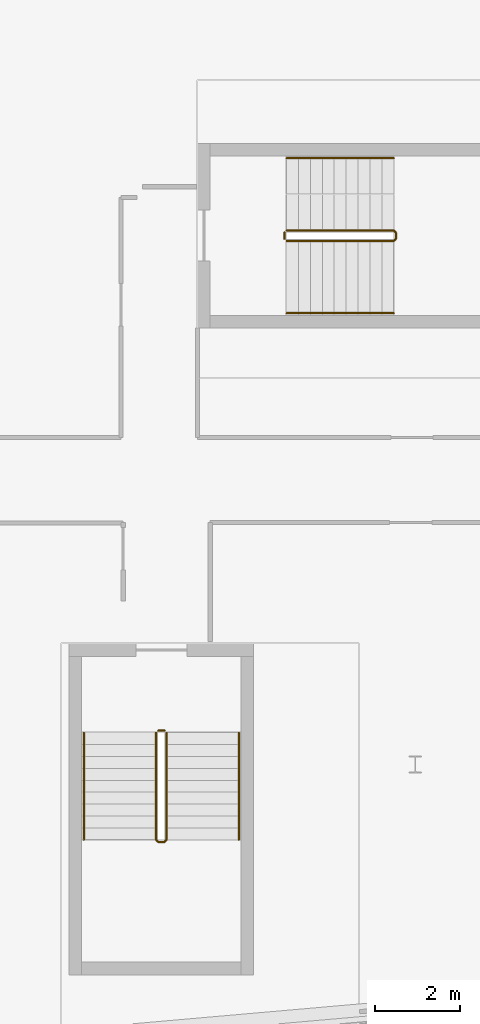
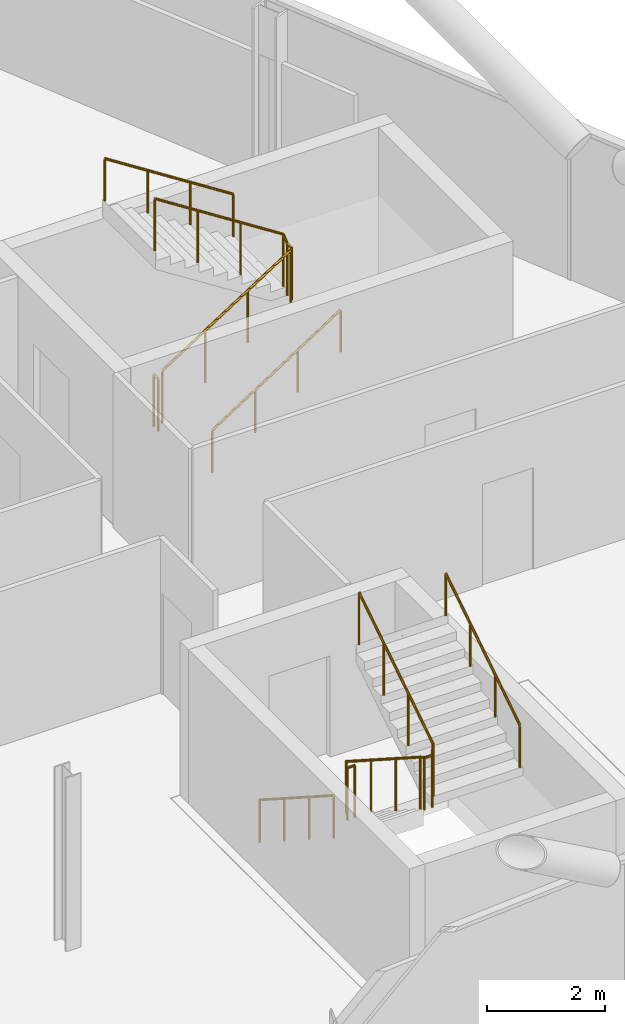
# One storey, part 25 of 26: 8 railings.
"""IFC4 building model written with IfcOpenShell, lengths in metres."""

import ifcopenshell
import ifcopenshell.guid

model = None  # the IFC model being written
_history = None  # IfcOwnerHistory: only IFC2X3 demands one
_inside = {}  # id of a spatial element -> (the spatial element, [elements in it])
_under = {}  # id of a project, library or spatial element -> (it, [spatial elements below it])
_declared = {}  # id of a project -> (the project, [libraries it declares])
_typed = {}  # id of a type object -> (the type object, [elements of that type])
_made_of = {}  # id of a material, layer set ... -> (it, [elements and type objects made of it])


def new_model(schema):
    """Start an empty IFC model of exactly this schema.

    Asked for "IFC4X3", IfcOpenShell would pick the latest addendum, in which some entities
    have other attributes; the version numbers below select the first issue.
    IFC2X3 requires an IfcOwnerHistory on every rooted entity: one is made here for all.
    """
    global model, _history
    if schema == "IFC4X3":
        model = ifcopenshell.file(schema_version=(4, 3, 0, 0))
    else:
        model = ifcopenshell.file(schema=schema)
    _inside.clear()
    _under.clear()
    _declared.clear()
    _typed.clear()
    _made_of.clear()
    _history = None
    if model.schema == "IFC2X3":
        org = make("IfcOrganization", Name="unknown")
        user = make(
            "IfcPersonAndOrganization",
            ThePerson=make("IfcPerson", FamilyName="unknown"),
            TheOrganization=org,
        )
        app = make(
            "IfcApplication",
            ApplicationDeveloper=org,
            Version="unknown",
            ApplicationFullName="unknown",
            ApplicationIdentifier="unknown",
        )
        _history = make(
            "IfcOwnerHistory",
            OwningUser=user,
            OwningApplication=app,
            ChangeAction="ADDED",
            CreationDate=0,
        )
    return model


def make(cls, **values):
    """One entity of the class cls with the attributes given. An attribute that is None is left unset."""
    return model.create_entity(
        cls, **{name: value for name, value in values.items() if value is not None}
    )


def rooted(cls, **values):
    """An entity with a GlobalId (a new one), such as an element, a storey or a relation."""
    return make(cls, GlobalId=ifcopenshell.guid.new(), OwnerHistory=_history, **values)


def si_unit(unit_type, name, prefix=None):
    """IfcSIUnit, for example si_unit("LENGTHUNIT", "METRE", prefix="MILLI")."""
    return make("IfcSIUnit", UnitType=unit_type, Prefix=prefix, Name=name)


def assignment(units):
    """IfcUnitAssignment: the units of a project."""
    return None if units is None else make("IfcUnitAssignment", Units=units)


def point(xyz):
    """IfcCartesianPoint."""
    return None if xyz is None else make("IfcCartesianPoint", Coordinates=xyz)


def direction(xyz):
    """IfcDirection."""
    return None if xyz is None else make("IfcDirection", DirectionRatios=xyz)


def frame(location, z_axis=None, x_axis=None):
    """IfcAxis2Placement3D, a coordinate frame: its origin and axes. An axis left out is left unset."""
    return make(
        "IfcAxis2Placement3D",
        Location=point(location),
        Axis=direction(z_axis),
        RefDirection=direction(x_axis),
    )


def frame_2d(location, x_axis=None):
    """IfcAxis2Placement2D, a coordinate frame in the plane: its origin and x axis."""
    return make(
        "IfcAxis2Placement2D", Location=point(location), RefDirection=direction(x_axis)
    )


def origin():
    """The frame at (0, 0, 0) with its axes left unset."""
    return frame((0.0, 0.0, 0.0))


def origin_2d():
    """The frame at (0, 0) in the plane with its x axis left unset."""
    return frame_2d((0.0, 0.0))


def place(relative_to, where):
    """IfcLocalPlacement: puts the frame where relative to a parent placement (None: the world)."""
    return make(
        "IfcLocalPlacement", PlacementRelTo=relative_to, RelativePlacement=where
    )


def context(
    kind, dimensions, precision=None, world=None, true_north=None, identifier=None
):
    """IfcGeometricRepresentationContext, for example the 3D "Model" context."""
    return make(
        "IfcGeometricRepresentationContext",
        ContextIdentifier=identifier,
        ContextType=kind,
        CoordinateSpaceDimension=dimensions,
        Precision=precision,
        WorldCoordinateSystem=world,
        TrueNorth=true_north,
    )


def subcontext(parent, identifier, kind, view, scale=None):
    """IfcGeometricRepresentationSubContext, for example "Body" below "Model"."""
    return make(
        "IfcGeometricRepresentationSubContext",
        ContextIdentifier=identifier,
        ContextType=kind,
        ParentContext=parent,
        TargetScale=scale,
        TargetView=view,
    )


def project(units=None, contexts=None):
    """IfcProject with its units and contexts."""
    return rooted(
        "IfcProject",
        Name="project",
        RepresentationContexts=contexts,
        UnitsInContext=assignment(units),
    )


def spatial(cls, under=None, at=None, **own):
    """A site, building, storey or space (cls), placed at a placement, below another one or the project."""
    s = rooted(cls, ObjectPlacement=at, **own)
    if under is not None:
        _under.setdefault(under.id(), (under, []))[1].append(s)
    return s


def profile(cls, at=None, kind="AREA", **sizes):
    """A parametric profile (cls). Its sizes go by their IFC names, for example OverallWidth=200.0."""
    return make(cls, ProfileType=kind, Position=at, **sizes)


def circle(**sizes):
    """IfcCircleProfileDef."""
    return profile("IfcCircleProfileDef", **sizes)


def extrude(swept, where, along, depth):
    """IfcExtrudedAreaSolid: the profile swept, set in the frame where, extruded along a direction by depth."""
    return make(
        "IfcExtrudedAreaSolid",
        SweptArea=swept,
        Position=where,
        ExtrudedDirection=direction(along),
        Depth=depth,
    )


def shape(context_of_items, identifier, shape_type, items):
    """IfcShapeRepresentation: the items that make up one representation, for example the "Body"."""
    return make(
        "IfcShapeRepresentation",
        ContextOfItems=context_of_items,
        RepresentationIdentifier=identifier,
        RepresentationType=shape_type,
        Items=items,
    )


def material(Name=None, Category=None):
    """IfcMaterial."""
    return make("IfcMaterial", Name=Name, Category=Category)


def made_of(thing, what):
    """Note that an element or type object is made of a material, layer set ...; save() writes the relation."""
    if what is not None:
        _made_of.setdefault(what.id(), (what, []))[1].append(thing)
    return thing


def type_object(cls, material=None, **own):
    """A type object (cls), such as IfcWallType, which elements share."""
    return made_of(rooted(cls, **own), material)


def element(
    cls,
    number,
    at=None,
    inside=None,
    cuts=None,
    type_object=None,
    material=None,
    context=None,
    identifier="Body",
    shape_type=None,
    held_by="IfcProductDefinitionShape",
    body=None,
    shapes=None,
    **own,
):
    """One element of the class cls, such as IfcWall. Its Tag is "e" and its number.

    at: its placement. inside: the storey or other place that contains it. cuts: it is an
    opening in that element (IfcRelVoidsElement). A single representation is given by context,
    identifier, shape_type and body (its items); several are given by shapes. held_by: the class
    of the entity that holds the representations. save() writes the other relations.
    """
    e = rooted(cls, Tag="e%d" % number, ObjectPlacement=at, **own)
    if body is not None:
        shapes = [shape(context, identifier, shape_type, body)]
    if shapes is not None:
        e.Representation = make(held_by, Representations=shapes)
    if inside is not None:
        _inside.setdefault(inside.id(), (inside, []))[1].append(e)
    if cuts is not None:
        rooted(
            "IfcRelVoidsElement", RelatingBuildingElement=cuts, RelatedOpeningElement=e
        )
    if type_object is not None:
        _typed.setdefault(type_object.id(), (type_object, []))[1].append(e)
    return made_of(e, material)


def aggregate(whole, parts):
    """IfcRelAggregates: a whole, such as a stair, and the parts it consists of."""
    return rooted("IfcRelAggregates", RelatingObject=whole, RelatedObjects=parts)


def save(model, path):
    """Write the relations noted so far, then the file.

    IfcRelAggregates (storeys below a building ...), IfcRelContainedInSpatialStructure (elements
    in a storey), IfcRelDefinesByType, IfcRelAssociatesMaterial and IfcRelDeclares: one each for
    every whole, place, type object, material and project.
    """
    for whole, parts in _under.values():
        aggregate(whole, parts)
    for where, things in _inside.values():
        rooted(
            "IfcRelContainedInSpatialStructure",
            RelatedElements=things,
            RelatingStructure=where,
        )
    for kind, things in _typed.values():
        rooted("IfcRelDefinesByType", RelatedObjects=things, RelatingType=kind)
    for what, things in _made_of.values():
        rooted("IfcRelAssociatesMaterial", RelatedObjects=things, RelatingMaterial=what)
    for by, libraries in _declared.values():
        rooted("IfcRelDeclares", RelatingContext=by, RelatedDefinitions=libraries)
    model.write(path)


model = new_model("IFC4")

# Units and contexts
model_context = context("Model", 3, precision=1e-05, world=origin(), true_north=direction((0.0, 1.0)))
body_context = subcontext(model_context, "Body", "Model", "MODEL_VIEW")
ifc_project = project(units=[si_unit("LENGTHUNIT", "METRE"), si_unit("AREAUNIT", "SQUARE_METRE"), si_unit("VOLUMEUNIT", "CUBIC_METRE"), si_unit("PLANEANGLEUNIT", "RADIAN"), si_unit("MASSUNIT", "GRAM", prefix="KILO")], contexts=[model_context])

# Site, building, storey
site_placement = place(None, origin())
site = spatial("IfcSite", under=ifc_project, at=site_placement, CompositionType="ELEMENT")
building_placement = place(site_placement, origin())
building = spatial("IfcBuilding", under=site, at=building_placement, Name="Wharfspan Tower", CompositionType="ELEMENT")
storey_placement = place(building_placement, frame((0.0, 0.0, 214.300049)))
storey = spatial("IfcBuildingStorey", under=building, at=storey_placement, Name="L53", CompositionType="ELEMENT", Elevation=214.300049)

# Railings
ifc_material = material(Name="Steel S355J2", Category="steel")
railing_type_1 = type_object("IfcRailingType", Name="Stair guard 1100", PredefinedType="GUARDRAIL", material=ifc_material)
railing_1_placement = place(storey_placement, frame((65.893799, 12.246094, 0.179932)))
element("IfcRailing", 1, at=railing_1_placement, inside=storey, type_object=railing_type_1, Name="L53 ST5 stair guard 1", PredefinedType="GUARDRAIL", context=body_context, shape_type="SweptSolid", body=[
    extrude(circle(Radius=0.023926, at=origin_2d()), frame((0.0, 0.0, 1.076172), z_axis=(0.0, -0.841163, 0.540782), x_axis=(1.0, 0.0, 0.0)), (0.0, 0.0, 1.0), 2.99585),
    extrude(circle(Radius=0.023926, at=origin_2d()), frame((0.0, -2.52002, 2.696289), z_axis=(0.708834, -0.705376, 0.0), x_axis=(0.705376, 0.708834, 0.0)), (0.0, 0.0, 1.0), 0.070557),
    extrude(circle(Radius=0.023926, at=origin_2d()), frame((0.050049, -2.569824, 2.696289), z_axis=(1.0, 0.0, 0.0), x_axis=(0.0, 1.0, 0.0)), (0.0, 0.0, 1.0), 0.149902),
    extrude(circle(Radius=0.023926, at=origin_2d()), frame((0.199951, -2.569824, 2.696289), z_axis=(0.258932, 0.257669, 0.930892), x_axis=(-0.705372, 0.708833, -1e-06)), (0.0, 0.0, 1.0), 0.193359),
    extrude(circle(Radius=0.023926, at=origin_2d()), frame((0.25, -2.52002, 2.875977), z_axis=(0.0, 0.8412, 0.540725), x_axis=(-1.0, 0.0, 0.0)), (0.0, 0.0, 1.0), 2.99585),
    extrude(circle(Radius=0.020996, at=origin_2d()), origin(), (0.0, 0.0, 1.0), 1.052002),
    extrude(circle(Radius=0.020996, at=origin_2d()), frame((0.0, -0.840088, 0.540039)), (0.0, 0.0, 1.0), 1.052002),
    extrude(circle(Radius=0.020996, at=origin_2d()), frame((0.0, -1.679932, 1.080078)), (0.0, 0.0, 1.0), 1.052002),
    extrude(circle(Radius=0.020996, at=origin_2d()), frame((0.0, -2.52002, 1.620117)), (0.0, 0.0, 1.0), 1.052002),
    extrude(circle(Radius=0.020996, at=origin_2d()), frame((0.050049, -2.569824, 1.620117)), (0.0, 0.0, 1.0), 1.052002),
    extrude(circle(Radius=0.020996, at=origin_2d()), frame((0.199951, -2.569824, 1.620117)), (0.0, 0.0, 1.0), 1.052002),
    extrude(circle(Radius=0.020996, at=origin_2d()), frame((0.25, -2.52002, 1.800049)), (0.0, 0.0, 1.0), 1.052002),
    extrude(circle(Radius=0.020996, at=origin_2d()), frame((0.25, -1.679932, 2.340088)), (0.0, 0.0, 1.0), 1.052002),
    extrude(circle(Radius=0.020996, at=origin_2d()), frame((0.25, -0.840088, 2.879883)), (0.0, 0.0, 1.0), 1.052002),
    extrude(circle(Radius=0.020996, at=origin_2d()), frame((0.25, 0.0, 3.419922)), (0.0, 0.0, 1.0), 1.052002),
])
railing_2_placement = place(storey_placement, frame((65.943848, 12.296143, 0.0)))
element("IfcRailing", 2, at=railing_2_placement, inside=storey, type_object=railing_type_1, Name="L53 ST5 stair guard 2", PredefinedType="GUARDRAIL", context=body_context, shape_type="SweptSolid", body=[
    extrude(circle(Radius=0.023926, at=origin_2d()), frame((0.0, 0.0, 1.076172), z_axis=(1.0, 0.0, 0.0), x_axis=(0.0, 1.0, 0.0)), (0.0, 0.0, 1.0), 0.149902),
    extrude(circle(Radius=0.020996, at=origin_2d()), origin(), (0.0, 0.0, 1.0), 1.052002),
    extrude(circle(Radius=0.020996, at=origin_2d()), frame((0.149902, 0.0, 0.0)), (0.0, 0.0, 1.0), 1.052002),
])
railing_3_placement = place(storey_placement, frame((68.969482, 23.824951, 0.179932)))
element("IfcRailing", 3, at=railing_3_placement, inside=storey, type_object=railing_type_1, Name="L53 ST6 stair guard 1", PredefinedType="GUARDRAIL", context=body_context, shape_type="SweptSolid", body=[
    extrude(circle(Radius=0.023926, at=origin_2d()), frame((0.0, 0.0, 1.076172), z_axis=(0.841163, 0.0, 0.540782), x_axis=(0.0, 1.0, 0.0)), (0.0, 0.0, 1.0), 2.99585),
    extrude(circle(Radius=0.023926, at=origin_2d()), frame((2.52002, 0.0, 2.696289), z_axis=(0.707107, 0.707107, 0.0), x_axis=(-0.707107, 0.707107, 0.0)), (0.0, 0.0, 1.0), 0.070801),
    extrude(circle(Radius=0.023926, at=origin_2d()), frame((2.570068, 0.050049, 2.696289), z_axis=(0.0, 1.0, 0.0), x_axis=(-1.0, 0.0, 0.0)), (0.0, 0.0, 1.0), 0.149902),
    extrude(circle(Radius=0.023926, at=origin_2d()), frame((2.570068, 0.199951, 2.696289), z_axis=(-0.258848, 0.258848, 0.930589), x_axis=(-0.707107, -0.707107, 0.0)), (0.0, 0.0, 1.0), 0.193359),
    extrude(circle(Radius=0.023926, at=origin_2d()), frame((2.52002, 0.25, 2.875977), z_axis=(-0.8412, 0.0, 0.540725), x_axis=(0.0, -1.0, 0.0)), (0.0, 0.0, 1.0), 2.99585),
    extrude(circle(Radius=0.020996, at=origin_2d()), origin(), (0.0, 0.0, 1.0), 1.052002),
    extrude(circle(Radius=0.020996, at=origin_2d()), frame((0.840088, 0.0, 0.540039)), (0.0, 0.0, 1.0), 1.052002),
    extrude(circle(Radius=0.020996, at=origin_2d()), frame((1.679932, 0.0, 1.080078)), (0.0, 0.0, 1.0), 1.052002),
    extrude(circle(Radius=0.020996, at=origin_2d()), frame((2.52002, 0.0, 1.620117)), (0.0, 0.0, 1.0), 1.052002),
    extrude(circle(Radius=0.020996, at=origin_2d()), frame((2.570068, 0.050049, 1.620117)), (0.0, 0.0, 1.0), 1.052002),
    extrude(circle(Radius=0.020996, at=origin_2d()), frame((2.570068, 0.199951, 1.620117)), (0.0, 0.0, 1.0), 1.052002),
    extrude(circle(Radius=0.020996, at=origin_2d()), frame((2.52002, 0.25, 1.800049)), (0.0, 0.0, 1.0), 1.052002),
    extrude(circle(Radius=0.020996, at=origin_2d()), frame((1.679932, 0.25, 2.340088)), (0.0, 0.0, 1.0), 1.052002),
    extrude(circle(Radius=0.020996, at=origin_2d()), frame((0.840088, 0.25, 2.879883)), (0.0, 0.0, 1.0), 1.052002),
    extrude(circle(Radius=0.020996, at=origin_2d()), frame((0.0, 0.25, 3.419922)), (0.0, 0.0, 1.0), 1.052002),
])
railing_4_placement = place(storey_placement, frame((68.919678, 23.875, 0.0)))
element("IfcRailing", 4, at=railing_4_placement, inside=storey, type_object=railing_type_1, Name="L53 ST6 stair guard 2", PredefinedType="GUARDRAIL", context=body_context, shape_type="SweptSolid", body=[
    extrude(circle(Radius=0.023926, at=origin_2d()), frame((0.0, 0.0, 1.076172), z_axis=(0.0, 1.0, 0.0), x_axis=(-1.0, 0.0, 0.0)), (0.0, 0.0, 1.0), 0.149902),
    extrude(circle(Radius=0.020996, at=origin_2d()), origin(), (0.0, 0.0, 1.0), 1.052002),
    extrude(circle(Radius=0.020996, at=origin_2d()), frame((0.0, 0.149902, 0.0)), (0.0, 0.0, 1.0), 1.052002),
])
railing_type_2 = type_object("IfcRailingType", Name="Stair handrail 900", PredefinedType="HANDRAIL", material=ifc_material)
railing_5_placement = place(storey_placement, frame((64.193848, 12.246094, 0.179932)))
element("IfcRailing", 5, at=railing_5_placement, inside=storey, type_object=railing_type_2, Name="L53 ST5 stair handrail 1", PredefinedType="HANDRAIL", context=body_context, shape_type="SweptSolid", body=[
    extrude(circle(Radius=0.023926, at=origin_2d()), frame((0.0, 0.0, 0.875977), z_axis=(0.0, -0.841163, 0.540782), x_axis=(1.0, 0.0, 0.0)), (0.0, 0.0, 1.0), 2.99585),
    extrude(circle(Radius=0.020996, at=origin_2d()), origin(), (0.0, 0.0, 1.0), 0.851807),
    extrude(circle(Radius=0.020996, at=origin_2d()), frame((0.0, -0.840088, 0.540039)), (0.0, 0.0, 1.0), 0.851807),
    extrude(circle(Radius=0.020996, at=origin_2d()), frame((0.0, -1.679932, 1.080078)), (0.0, 0.0, 1.0), 0.851807),
    extrude(circle(Radius=0.020996, at=origin_2d()), frame((0.0, -2.52002, 1.620117)), (0.0, 0.0, 1.0), 0.851807),
])
railing_6_placement = place(storey_placement, frame((67.84375, 9.726074, 1.97998)))
element("IfcRailing", 6, at=railing_6_placement, inside=storey, type_object=railing_type_2, Name="L53 ST5 stair handrail 2", PredefinedType="HANDRAIL", context=body_context, shape_type="SweptSolid", body=[
    extrude(circle(Radius=0.023926, at=origin_2d()), frame((0.0, 0.0, 0.875977), z_axis=(0.0, 0.8412, 0.540725), x_axis=(-1.0, 0.0, 0.0)), (0.0, 0.0, 1.0), 2.99585),
    extrude(circle(Radius=0.020996, at=origin_2d()), origin(), (0.0, 0.0, 1.0), 0.851807),
    extrude(circle(Radius=0.020996, at=origin_2d()), frame((0.0, 0.840088, 0.540039)), (0.0, 0.0, 1.0), 0.851807),
    extrude(circle(Radius=0.020996, at=origin_2d()), frame((0.0, 1.679932, 1.079834)), (0.0, 0.0, 1.0), 0.851807),
    extrude(circle(Radius=0.020996, at=origin_2d()), frame((0.0, 2.52002, 1.619873)), (0.0, 0.0, 1.0), 0.851807),
])
railing_7_placement = place(storey_placement, frame((68.969482, 22.125, 0.179932)))
element("IfcRailing", 7, at=railing_7_placement, inside=storey, type_object=railing_type_2, Name="L53 ST6 stair handrail 1", PredefinedType="HANDRAIL", context=body_context, shape_type="SweptSolid", body=[
    extrude(circle(Radius=0.023926, at=origin_2d()), frame((0.0, 0.0, 0.875977), z_axis=(0.841163, 0.0, 0.540782), x_axis=(0.0, 1.0, 0.0)), (0.0, 0.0, 1.0), 2.99585),
    extrude(circle(Radius=0.020996, at=origin_2d()), origin(), (0.0, 0.0, 1.0), 0.851807),
    extrude(circle(Radius=0.020996, at=origin_2d()), frame((0.840088, 0.0, 0.540039)), (0.0, 0.0, 1.0), 0.851807),
    extrude(circle(Radius=0.020996, at=origin_2d()), frame((1.679932, 0.0, 1.080078)), (0.0, 0.0, 1.0), 0.851807),
    extrude(circle(Radius=0.020996, at=origin_2d()), frame((2.52002, 0.0, 1.620117)), (0.0, 0.0, 1.0), 0.851807),
])
railing_8_placement = place(storey_placement, frame((71.489502, 25.774902, 1.97998)))
element("IfcRailing", 8, at=railing_8_placement, inside=storey, type_object=railing_type_2, Name="L53 ST6 stair handrail 2", PredefinedType="HANDRAIL", context=body_context, shape_type="SweptSolid", body=[
    extrude(circle(Radius=0.023926, at=origin_2d()), frame((0.0, 0.0, 0.875977), z_axis=(-0.8412, 0.0, 0.540725), x_axis=(0.0, -1.0, 0.0)), (0.0, 0.0, 1.0), 2.99585),
    extrude(circle(Radius=0.020996, at=origin_2d()), origin(), (0.0, 0.0, 1.0), 0.851807),
    extrude(circle(Radius=0.020996, at=origin_2d()), frame((-0.840088, 0.0, 0.540039)), (0.0, 0.0, 1.0), 0.851807),
    extrude(circle(Radius=0.020996, at=origin_2d()), frame((-1.679932, 0.0, 1.079834)), (0.0, 0.0, 1.0), 0.851807),
    extrude(circle(Radius=0.020996, at=origin_2d()), frame((-2.52002, 0.0, 1.619873)), (0.0, 0.0, 1.0), 0.851807),
])

save(model, "model.ifc")
